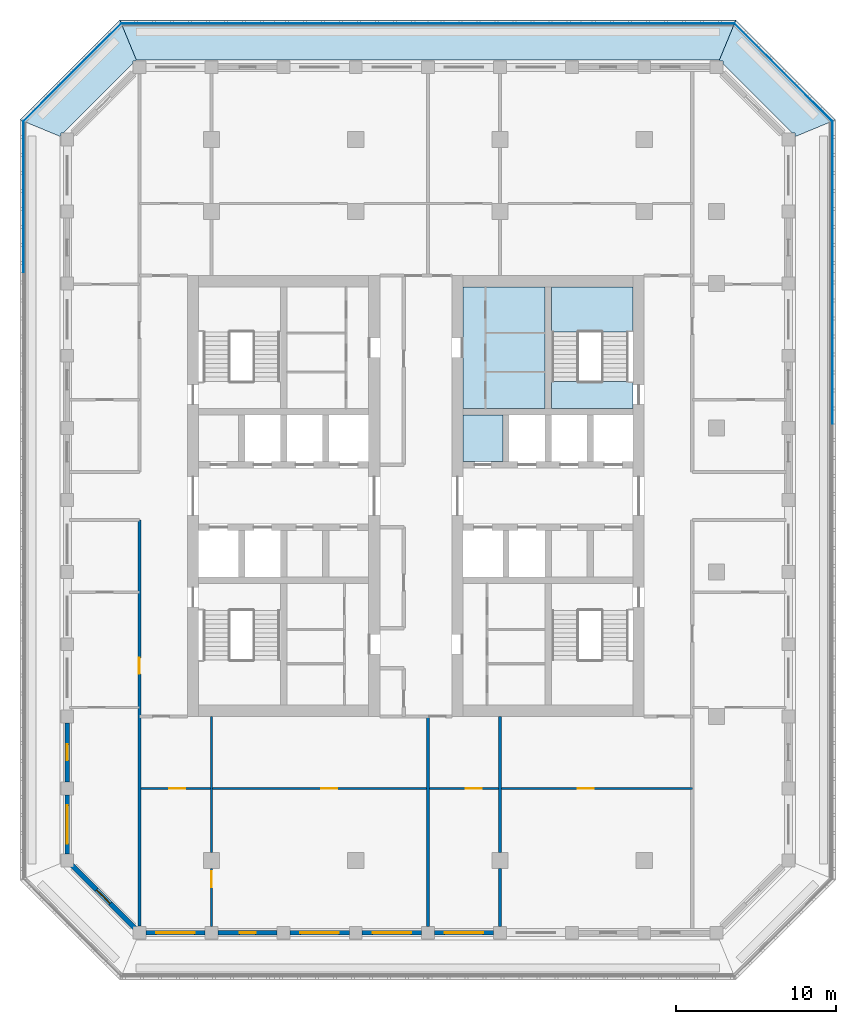
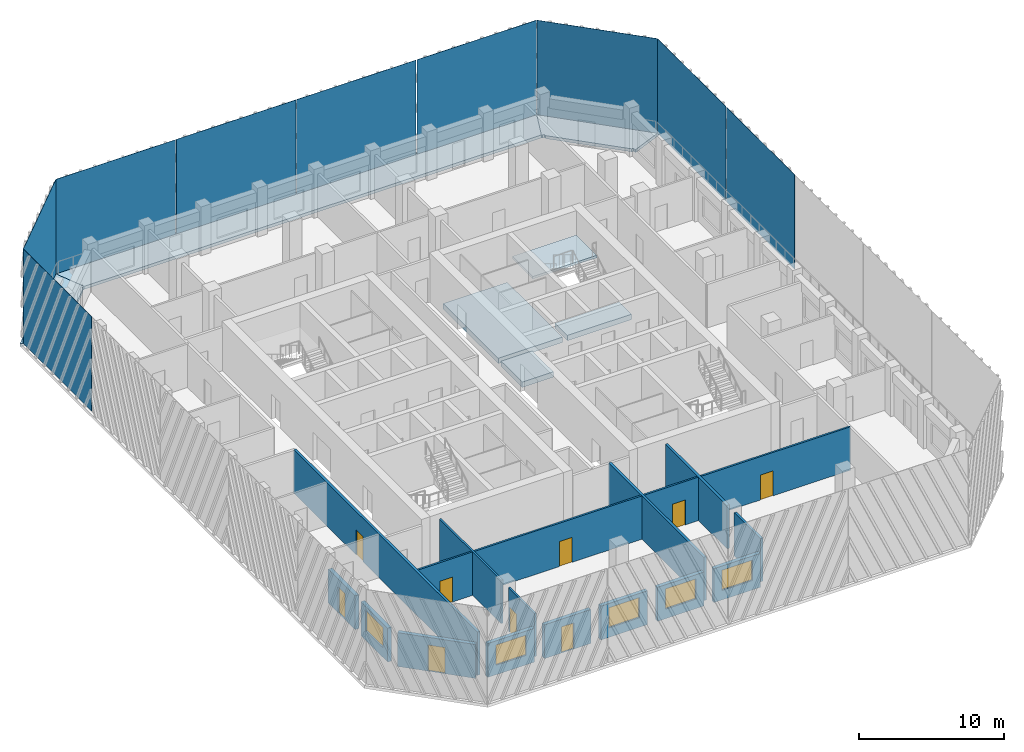
# One storey, part 2 of 17: 15 walls, 9 doors, 9 plates, 7 slabs, 5 windows, 14 openings, 1 element without a shape of its own.
"""IFC4 building model written with IfcOpenShell, lengths in metres."""

from ifc_helpers import new_model, si_unit, direction, frame, frame_2d, origin, origin_2d, place, context, subcontext, project, spatial, polyline, rectangle, outline, extrude, material, layer, layer_set, type_object, element, fill, aggregate, save


model = new_model("IFC4")

# Units and contexts
model_context = context("Model", 3, precision=1e-05, world=origin(), true_north=direction((0.0, 1.0)))
body_context = subcontext(model_context, "Body", "Model", "MODEL_VIEW")
ifc_project = project(units=[si_unit("LENGTHUNIT", "METRE"), si_unit("AREAUNIT", "SQUARE_METRE"), si_unit("VOLUMEUNIT", "CUBIC_METRE"), si_unit("PLANEANGLEUNIT", "RADIAN"), si_unit("MASSUNIT", "GRAM", prefix="KILO")], contexts=[model_context])

# Site, building, storey
site_placement = place(None, origin())
site = spatial("IfcSite", under=ifc_project, at=site_placement, CompositionType="ELEMENT")
building_placement = place(site_placement, origin())
building = spatial("IfcBuilding", under=site, at=building_placement, Name="Corbel Stack Research Tower", CompositionType="ELEMENT")
storey_placement = place(building_placement, frame((0.0, 0.0, 248.0)))
storey = spatial("IfcBuildingStorey", under=building, at=storey_placement, Name="L56", CompositionType="ELEMENT", Elevation=248.0)

# Plates
ifc_material_1 = material(Name="Fritted glass", Category="glass")
ifc_layer_1 = layer(ifc_material_1, 0.02490234375)
ifc_layer_set_1 = layer_set([ifc_layer_1], Name="Fritted glass")
plate_type = type_object("IfcPlateType", Name="Fritted glass panel 25", PredefinedType="SHEET", material=ifc_layer_set_1)
for number, where, z_axis, x_axis, name in (
    (1, (29.737548828125, 13.95556640625, 0.0), (0.0, 0.0, 1.0), (0.0, 1.0, 0.0), "Fritted glass L56 E4"),
    (2, (29.737548828125, 23.411376953125, 0.0), (0.0, 0.0, 1.0), (0.0, 1.0, 0.0), "Fritted glass L56 E5"),
):
    element("IfcPlate", number, at=place(storey_placement, frame(where, z_axis=z_axis, x_axis=x_axis)), inside=storey, type_object=plate_type, Name=name, PredefinedType="SHEET", context=body_context, shape_type="SweptSolid", body=[
        extrude(rectangle(XDim=9.3955078125, YDim=0.02490234375, at=origin_2d()), origin(), (0.0, 0.0, 1.0), 7.949951171875),
    ])
plate_1_placement = place(storey_placement, frame((26.685791015625, 31.185791015625, 0.0), z_axis=(0.0, 0.0, 1.0), x_axis=(-0.707106781187, 0.707106781187, 0.0)))
element("IfcPlate", 3, at=plate_1_placement, inside=storey, type_object=plate_type, Name="Fritted glass L56 NE1", PredefinedType="SHEET", context=body_context, shape_type="SweptSolid", body=[
    extrude(rectangle(XDim=8.58203125, YDim=0.02490234375, at=origin_2d()), origin(), (0.0, 0.0, 1.0), 7.949951171875),
])
for number, where, z_axis, x_axis, name in (
    (4, (18.854248046875, 34.237548828125, 0.0), (0.0, 0.0, 1.0), (-1.0, 0.0, 0.0), "Fritted glass L56 N1"),
    (5, (9.284912109375, 34.237548828125, 0.0), (0.0, 0.0, 1.0), (-1.0, 0.0, 0.0), "Fritted glass L56 N2"),
    (6, (-0.284912109375, 34.237548828125, 0.0), (0.0, 0.0, 1.0), (-1.0, 0.0, 0.0), "Fritted glass L56 N3"),
    (7, (-9.854248046875, 34.237548828125, 0.0), (0.0, 0.0, 1.0), (-1.0, 0.0, 0.0), "Fritted glass L56 N4"),
):
    element("IfcPlate", number, at=place(storey_placement, frame(where, z_axis=z_axis, x_axis=x_axis)), inside=storey, type_object=plate_type, Name=name, PredefinedType="SHEET", context=body_context, shape_type="SweptSolid", body=[
        extrude(rectangle(XDim=9.509521484375, YDim=0.02490234375, at=origin_2d()), origin(), (0.0, 0.0, 1.0), 7.949951171875),
    ])
plate_2_placement = place(storey_placement, frame((-17.685791015625, 31.185791015625, 0.0), z_axis=(0.0, 0.0, 1.0), x_axis=(-0.707106781187, -0.707106781187, 0.0)))
element("IfcPlate", 8, at=plate_2_placement, inside=storey, type_object=plate_type, Name="Fritted glass L56 NW1", PredefinedType="SHEET", context=body_context, shape_type="SweptSolid", body=[
    extrude(rectangle(XDim=8.58203125, YDim=0.02490234375, at=origin_2d()), origin(), (0.0, 0.0, 1.0), 7.949951171875),
])
plate_3_placement = place(storey_placement, frame((-20.737548828125, 23.411376953125, 0.0), z_axis=(0.0, 0.0, 1.0), x_axis=(0.0, -1.0, 0.0)))
element("IfcPlate", 9, at=plate_3_placement, inside=storey, type_object=plate_type, Name="Fritted glass L56 W1", PredefinedType="SHEET", context=body_context, shape_type="SweptSolid", body=[
    extrude(rectangle(XDim=9.3955078125, YDim=0.02490234375, at=origin_2d()), origin(), (0.0, 0.0, 1.0), 7.949951171875),
])

# Slabs
ifc_material_2 = material(Name="Concrete C45/55", Category="concrete")
ifc_layer_2 = layer(ifc_material_2, 0.25)
ifc_layer_set_2 = layer_set([ifc_layer_2], Name="Concrete C45/55")
slab_type_1 = type_object("IfcSlabType", Name="PT balcony slab 250 C45/55", PredefinedType="FLOOR", material=ifc_layer_set_2)
slab_1_placement = place(storey_placement, frame((0.0, 0.0, -0.25)))
element("IfcSlab", 10, at=slab_1_placement, inside=storey, type_object=slab_type_1, Name="Loggia slab L56 NE", PredefinedType="FLOOR", context=body_context, shape_type="SweptSolid", body=[
    extrude(outline(polyline([(22.686279296875, 31.949951171875), (22.736328125, 31.89990234375), (22.89990234375, 31.89990234375), (22.89990234375, 31.736328125), (27.236328125, 27.39990234375), (27.39990234375, 27.39990234375), (27.39990234375, 27.236328125), (27.449951171875, 27.186279296875), (29.949951171875, 28.221923828125), (23.721923828125, 34.449951171875), (22.686279296875, 31.949951171875)])), origin(), (0.0, 0.0, 1.0), 0.25),
])
slab_2_placement = place(storey_placement, frame((0.0, 0.0, -0.25)))
element("IfcSlab", 11, at=slab_2_placement, inside=storey, type_object=slab_type_1, Name="Loggia slab L56 N", PredefinedType="FLOOR", context=body_context, shape_type="SweptSolid", body=[
    extrude(outline(polyline([(-13.686279296875, 31.949951171875), (22.686279296875, 31.949951171875), (23.721923828125, 34.449951171875), (-14.721923828125, 34.449951171875), (-13.686279296875, 31.949951171875)])), origin(), (0.0, 0.0, 1.0), 0.25),
])
slab_3_placement = place(storey_placement, frame((0.0, 0.0, -0.25)))
element("IfcSlab", 12, at=slab_3_placement, inside=storey, type_object=slab_type_1, Name="Loggia slab L56 NW", PredefinedType="FLOOR", context=body_context, shape_type="SweptSolid", body=[
    extrude(outline(polyline([(-18.449951171875, 27.186279296875), (-18.39990234375, 27.236328125), (-18.39990234375, 27.39990234375), (-18.236328125, 27.39990234375), (-13.89990234375, 31.736328125), (-13.89990234375, 31.89990234375), (-13.736328125, 31.89990234375), (-13.686279296875, 31.949951171875), (-14.721923828125, 34.449951171875), (-20.949951171875, 28.221923828125), (-18.449951171875, 27.186279296875)])), origin(), (0.0, 0.0, 1.0), 0.25),
])
ifc_material_3 = material(Name="Concrete C45/55", Category="concrete")
ifc_layer_3 = layer(ifc_material_3, 0.449951171875)
ifc_layer_set_3 = layer_set([ifc_layer_3], Name="Concrete C45/55")
slab_type_2 = type_object("IfcSlabType", Name="PT-450", PredefinedType="FLOOR", material=ifc_layer_set_3)
slab_4_placement = place(storey_placement, frame((0.0, 0.0, -0.449951171875)))
element("IfcSlab", 13, at=slab_4_placement, inside=storey, type_object=slab_type_2, Name="East core floor L56", PredefinedType="FLOOR", context=body_context, shape_type="SweptSolid", body=[
    extrude(outline(polyline([(6.699951171875, 6.89990234375), (9.175048828125, 6.89990234375), (9.175048828125, 9.800048828125), (6.699951171875, 9.800048828125), (6.699951171875, 6.89990234375)])), origin(), (0.0, 0.0, 1.0), 0.449951171875),
])
slab_5_placement = place(storey_placement, frame((0.0, 0.0, -0.449951171875)))
element("IfcSlab", 14, at=slab_5_placement, inside=storey, type_object=slab_type_2, Name="East core floor L56", PredefinedType="FLOOR", context=body_context, shape_type="SweptSolid", body=[
    extrude(outline(polyline([(6.699951171875, 10.199951171875), (11.800048828125, 10.199951171875), (11.800048828125, 17.800048828125), (6.699951171875, 17.800048828125), (6.699951171875, 10.199951171875)])), origin(), (0.0, 0.0, 1.0), 0.449951171875),
])
slab_6_placement = place(storey_placement, frame((0.0, 0.0, -0.449951171875)))
element("IfcSlab", 15, at=slab_6_placement, inside=storey, type_object=slab_type_2, Name="Stair floor landing ST-E2", PredefinedType="FLOOR", context=body_context, shape_type="SweptSolid", body=[
    extrude(outline(polyline([(12.199951171875, 10.199951171875), (17.300048828125, 10.199951171875), (17.300048828125, 11.89990234375), (12.199951171875, 11.89990234375), (12.199951171875, 10.199951171875)])), origin(), (0.0, 0.0, 1.0), 0.449951171875),
])

# Stair, slab
ifc_material_4 = material(Name="Concrete C40/50", Category="concrete")
stair_type = type_object("IfcStairType", Name="Exit stair 24 risers", PredefinedType="HALF_TURN_STAIR", material=ifc_material_4)
stair_placement = place(storey_placement, origin())
stair = element("IfcStair", 16, at=stair_placement, inside=storey, type_object=stair_type, Name="L56 Exit stair ST-E2", PredefinedType="HALF_TURN_STAIR")
ifc_material_5 = material(Name="Concrete C40/50", Category="concrete")
ifc_layer_4 = layer(ifc_material_5, 0.199951171875)
ifc_layer_set_4 = layer_set([ifc_layer_4], Name="Concrete C40/50")
slab_type_3 = type_object("IfcSlabType", Name="Stair landing 200 C40/50", PredefinedType="LANDING", material=ifc_layer_set_4)
slab_7_placement = place(storey_placement, frame((0.0, 0.0, 1.85009765625)))
slab_7 = element("IfcSlab", 17, at=slab_7_placement, type_object=slab_type_3, Name="ST-E2 landing 1", PredefinedType="LANDING", context=body_context, shape_type="SweptSolid", body=[
    extrude(outline(polyline([(12.199951171875, 14.97998046875), (12.199951171875, 17.800048828125), (17.300048828125, 17.800048828125), (17.300048828125, 14.97998046875), (12.199951171875, 14.97998046875)])), origin(), (0.0, 0.0, 1.0), 0.199951171875),
])
aggregate(stair, [slab_7])

# Wall, opening, door
ifc_material_6 = material(Name="Fire-rated gypsum board partition on steel studs", Category="steel")
ifc_layer_5 = layer(ifc_material_6, 0.14990234375)
ifc_layer_set_5 = layer_set([ifc_layer_5], Name="Fire-rated gypsum board partition on steel studs")
wall_type_1 = type_object("IfcWallType", Name="Fire-rated partition 150 EI 60", PredefinedType="PARTITIONING", material=ifc_layer_set_5)
wall_1_placement = place(storey_placement, frame((-9.0, -18.5, 0.0), z_axis=(0.0, 0.0, 1.0), x_axis=(0.0, -1.0, 0.0)))
wall_1 = element("IfcWall", 18, at=wall_1_placement, inside=storey, type_object=wall_type_1, Name="Partition L56-003", PredefinedType="PARTITIONING", context=body_context, shape_type="SweptSolid", body=[
    extrude(rectangle(XDim=3.60009765625, YDim=0.14990234375, at=frame_2d((1.800048828125, 0.0))), origin(), (0.0, 0.0, 1.0), 3.64990234375),
])
opening_1_placement = place(wall_1_placement, frame((0.14990234375, 0.0, 0.0)))
opening_1 = element("IfcOpeningElement", 19, at=opening_1_placement, cuts=wall_1, Name="Opening B7V1-007", PredefinedType="OPENING", context=body_context, shape_type="SweptSolid", body=[
    extrude(rectangle(XDim=1.0, YDim=2.10009765625, at=frame_2d((0.5, 1.050048828125))), frame((0.0, 0.0849609375, 0.0), z_axis=(0.0, -1.0, 0.0), x_axis=(1.0, 0.0, 0.0)), (0.0, 0.0, 1.0), 0.169921875),
])
ifc_material_7 = material(Name="Painted steel fire door", Category="steel")
door_type_1 = type_object("IfcDoorType", Name="Fire door FD30S 1000 x 2100", OperationType="NOTDEFINED", PredefinedType="DOOR", material=ifc_material_7)
door_1_placement = place(opening_1_placement, origin())
door_1 = element("IfcDoor", 20, at=door_1_placement, inside=storey, type_object=door_type_1, Name="Door B7V1-007", OperationType="SINGLE_SWING_LEFT", OverallHeight=2.10009765625, OverallWidth=1.0, PredefinedType="DOOR", context=body_context, shape_type="SweptSolid", body=[
    extrude(rectangle(XDim=1.0, YDim=2.10009765625, at=frame_2d((0.5, 1.050048828125))), frame((0.0, 0.02490234375, 0.0), z_axis=(0.0, -1.0, 0.0), x_axis=(1.0, 0.0, 0.0)), (0.0, 0.0, 1.0), 0.050048828125),
])
fill(opening_1, door_1)

ifc_material_8 = material(Name="Fire-rated gypsum board partition on steel studs", Category="steel")
ifc_layer_6 = layer(ifc_material_8, 0.199951171875)
ifc_layer_set_6 = layer_set([ifc_layer_6], Name="Fire-rated gypsum board partition on steel studs")
wall_type_2 = type_object("IfcWallType", Name="Fire-rated partition 200 EI 60", PredefinedType="PARTITIONING", material=ifc_layer_set_6)
wall_2_placement = place(storey_placement, frame((-13.5, -22.0771484375, 0.0), z_axis=(0.0, 0.0, 1.0), x_axis=(0.0, 1.0, 0.0)))
wall_2 = element("IfcWall", 21, at=wall_2_placement, inside=storey, type_object=wall_type_2, Name="Partition L56-001", PredefinedType="PARTITIONING", context=body_context, shape_type="SweptSolid", body=[
    extrude(rectangle(XDim=25.3271484375, YDim=0.199951171875, at=frame_2d((12.66357421875, 0.0))), origin(), (0.0, 0.0, 1.0), 3.64990234375),
])
opening_2_placement = place(wall_2_placement, frame((15.727294921875, 0.0, 0.0)))
opening_2 = element("IfcOpeningElement", 22, at=opening_2_placement, cuts=wall_2, Name="Opening B7V1-002", PredefinedType="OPENING", context=body_context, shape_type="SweptSolid", body=[
    extrude(rectangle(XDim=1.0, YDim=2.10009765625, at=frame_2d((0.5, 1.050048828125))), frame((0.0, 0.10986328125, 0.0), z_axis=(0.0, -1.0, 0.0), x_axis=(1.0, 0.0, 0.0)), (0.0, 0.0, 1.0), 0.219970703125),
])
door_2_placement = place(opening_2_placement, origin())
door_2 = element("IfcDoor", 23, at=door_2_placement, inside=storey, type_object=door_type_1, Name="Door B7V1-002", OperationType="SINGLE_SWING_RIGHT", OverallHeight=2.10009765625, OverallWidth=1.0, PredefinedType="DOOR", context=body_context, shape_type="SweptSolid", body=[
    extrude(rectangle(XDim=1.0, YDim=2.10009765625, at=frame_2d((0.5, 1.050048828125))), frame((0.0, 0.02490234375, 0.0), z_axis=(0.0, -1.0, 0.0), x_axis=(1.0, 0.0, 0.0)), (0.0, 0.0, 1.0), 0.050048828125),
])
fill(opening_2, door_2)

# Walls
wall_3_placement = place(storey_placement, frame((4.5, -22.10009765625, 0.0), z_axis=(0.0, 0.0, 1.0), x_axis=(0.0, 1.0, 0.0)))
element("IfcWall", 24, at=wall_3_placement, inside=storey, type_object=wall_type_2, Name="Partition L56-011", PredefinedType="PARTITIONING", context=body_context, shape_type="SweptSolid", body=[
    extrude(rectangle(XDim=13.10009765625, YDim=0.199951171875, at=frame_2d((6.550048828125, 0.0))), origin(), (0.0, 0.0, 1.0), 3.64990234375),
])
wall_4_placement = place(storey_placement, frame((9.0, -22.10009765625, 0.0), z_axis=(0.0, 0.0, 1.0), x_axis=(0.0, 1.0, 0.0)))
element("IfcWall", 25, at=wall_4_placement, inside=storey, type_object=wall_type_2, Name="Partition L56-013", PredefinedType="PARTITIONING", context=body_context, shape_type="SweptSolid", body=[
    extrude(rectangle(XDim=3.60009765625, YDim=0.199951171875, at=frame_2d((1.800048828125, 0.0))), origin(), (0.0, 0.0, 1.0), 3.64990234375),
])
wall_5_placement = place(storey_placement, frame((9.0, -17.5, 0.0), z_axis=(0.0, 0.0, 1.0), x_axis=(0.0, 1.0, 0.0)))
element("IfcWall", 26, at=wall_5_placement, inside=storey, type_object=wall_type_2, Name="Partition L56-014", PredefinedType="PARTITIONING", context=body_context, shape_type="SweptSolid", body=[
    extrude(rectangle(XDim=8.5, YDim=0.199951171875, at=frame_2d((4.25, 0.0))), origin(), (0.0, 0.0, 1.0), 3.64990234375),
])
ifc_material_9 = material(Name="Gypsum board partition on steel studs", Category="steel")
ifc_layer_7 = layer(ifc_material_9, 0.14990234375)
ifc_layer_set_7 = layer_set([ifc_layer_7], Name="Gypsum board partition on steel studs")
wall_type_3 = type_object("IfcWallType", Name="Partition 150", PredefinedType="PARTITIONING", material=ifc_layer_set_7)
wall_6_placement = place(storey_placement, frame((-9.0, -17.5, 0.0), z_axis=(0.0, 0.0, 1.0), x_axis=(0.0, 1.0, 0.0)))
element("IfcWall", 27, at=wall_6_placement, inside=storey, type_object=wall_type_3, Name="Partition L56-004", PredefinedType="PARTITIONING", context=body_context, shape_type="SweptSolid", body=[
    extrude(rectangle(XDim=8.5, YDim=0.14990234375, at=frame_2d((4.25, 0.0))), origin(), (0.0, 0.0, 1.0), 3.64990234375),
])

# Wall, openings, doors
wall_7_placement = place(storey_placement, frame((21.0, -13.5, 0.0), z_axis=(0.0, 0.0, 1.0), x_axis=(-1.0, 0.0, 0.0)))
wall_7 = element("IfcWall", 28, at=wall_7_placement, inside=storey, type_object=wall_type_3, Name="Partition L56-020", PredefinedType="PARTITIONING", context=body_context, shape_type="SweptSolid", body=[
    extrude(rectangle(XDim=34.5, YDim=0.14990234375, at=frame_2d((17.25, 0.0))), origin(), (0.0, 0.0, 1.0), 3.64990234375),
])
opening_3_placement = place(wall_7_placement, frame((31.64990234375, 0.0, 0.0)))
opening_3 = element("IfcOpeningElement", 29, at=opening_3_placement, cuts=wall_7, Name="Opening B7V1-001", PredefinedType="OPENING", context=body_context, shape_type="SweptSolid", body=[
    extrude(rectangle(XDim=1.0, YDim=2.10009765625, at=frame_2d((0.5, 1.050048828125))), frame((0.0, 0.0849609375, 0.0), z_axis=(0.0, -1.0, 0.0), x_axis=(1.0, 0.0, 0.0)), (0.0, 0.0, 1.0), 0.169921875),
])
opening_4_placement = place(wall_7_placement, frame((22.14990234375, 0.0, 0.0)))
opening_4 = element("IfcOpeningElement", 30, at=opening_4_placement, cuts=wall_7, Name="Opening B7V1-003", PredefinedType="OPENING", context=body_context, shape_type="SweptSolid", body=[
    extrude(rectangle(XDim=1.0, YDim=2.10009765625, at=frame_2d((0.5, 1.050048828125))), frame((0.0, 0.0849609375, 0.0), z_axis=(0.0, -1.0, 0.0), x_axis=(1.0, 0.0, 0.0)), (0.0, 0.0, 1.0), 0.169921875),
])
opening_5_placement = place(wall_7_placement, frame((13.14990234375, 0.0, 0.0)))
opening_5 = element("IfcOpeningElement", 31, at=opening_5_placement, cuts=wall_7, Name="Opening B7V1-004", PredefinedType="OPENING", context=body_context, shape_type="SweptSolid", body=[
    extrude(rectangle(XDim=1.0, YDim=2.10009765625, at=frame_2d((0.5, 1.050048828125))), frame((0.0, 0.0849609375, 0.0), z_axis=(0.0, -1.0, 0.0), x_axis=(1.0, 0.0, 0.0)), (0.0, 0.0, 1.0), 0.169921875),
])
opening_6_placement = place(wall_7_placement, frame((6.14990234375, 0.0, 0.0)))
opening_6 = element("IfcOpeningElement", 32, at=opening_6_placement, cuts=wall_7, Name="Opening B7V1-005", PredefinedType="OPENING", context=body_context, shape_type="SweptSolid", body=[
    extrude(rectangle(XDim=1.0, YDim=2.10009765625, at=frame_2d((0.5, 1.050048828125))), frame((0.0, 0.0849609375, 0.0), z_axis=(0.0, -1.0, 0.0), x_axis=(1.0, 0.0, 0.0)), (0.0, 0.0, 1.0), 0.169921875),
])
ifc_material_10 = material(Name="Painted timber door", Category="wood")
door_type_2 = type_object("IfcDoorType", Name="Single door 1000 x 2100", OperationType="NOTDEFINED", PredefinedType="DOOR", material=ifc_material_10)
door_3_placement = place(opening_3_placement, origin())
door_3 = element("IfcDoor", 33, at=door_3_placement, inside=storey, type_object=door_type_2, Name="Door B7V1-001", OperationType="SINGLE_SWING_RIGHT", OverallHeight=2.10009765625, OverallWidth=1.0, PredefinedType="DOOR", context=body_context, shape_type="SweptSolid", body=[
    extrude(rectangle(XDim=1.0, YDim=2.10009765625, at=frame_2d((0.5, 1.050048828125))), frame((0.0, 0.02490234375, 0.0), z_axis=(0.0, -1.0, 0.0), x_axis=(1.0, 0.0, 0.0)), (0.0, 0.0, 1.0), 0.050048828125),
])
fill(opening_3, door_3)
door_4_placement = place(opening_4_placement, origin())
door_4 = element("IfcDoor", 34, at=door_4_placement, inside=storey, type_object=door_type_2, Name="Door B7V1-003", OperationType="SINGLE_SWING_RIGHT", OverallHeight=2.10009765625, OverallWidth=1.0, PredefinedType="DOOR", context=body_context, shape_type="SweptSolid", body=[
    extrude(rectangle(XDim=1.0, YDim=2.10009765625, at=frame_2d((0.5, 1.050048828125))), frame((0.0, 0.02490234375, 0.0), z_axis=(0.0, -1.0, 0.0), x_axis=(1.0, 0.0, 0.0)), (0.0, 0.0, 1.0), 0.050048828125),
])
fill(opening_4, door_4)
door_5_placement = place(opening_5_placement, origin())
door_5 = element("IfcDoor", 35, at=door_5_placement, inside=storey, type_object=door_type_2, Name="Door B7V1-004", OperationType="SINGLE_SWING_LEFT", OverallHeight=2.10009765625, OverallWidth=1.0, PredefinedType="DOOR", context=body_context, shape_type="SweptSolid", body=[
    extrude(rectangle(XDim=1.0, YDim=2.10009765625, at=frame_2d((0.5, 1.050048828125))), frame((0.0, 0.02490234375, 0.0), z_axis=(0.0, -1.0, 0.0), x_axis=(1.0, 0.0, 0.0)), (0.0, 0.0, 1.0), 0.050048828125),
])
fill(opening_5, door_5)
door_6_placement = place(opening_6_placement, origin())
door_6 = element("IfcDoor", 36, at=door_6_placement, inside=storey, type_object=door_type_2, Name="Door B7V1-005", OperationType="SINGLE_SWING_LEFT", OverallHeight=2.10009765625, OverallWidth=1.0, PredefinedType="DOOR", context=body_context, shape_type="SweptSolid", body=[
    extrude(rectangle(XDim=1.0, YDim=2.10009765625, at=frame_2d((0.5, 1.050048828125))), frame((0.0, 0.02490234375, 0.0), z_axis=(0.0, -1.0, 0.0), x_axis=(1.0, 0.0, 0.0)), (0.0, 0.0, 1.0), 0.050048828125),
])
fill(opening_6, door_6)

# Wall, opening, window
ifc_material_11 = material(Name="Concrete C45/55", Category="concrete")
ifc_layer_8 = layer(ifc_material_11, 0.300048828125)
ifc_layer_set_8 = layer_set([ifc_layer_8], Name="Concrete C45/55")
wall_type_4 = type_object("IfcWallType", Name="Terracotta-faced concrete wall 300", PredefinedType="SOLIDWALL", material=ifc_layer_set_8)
wall_8_placement = place(storey_placement, frame((-9.39990234375, -22.5, 0.0), z_axis=(0.0, 0.0, 1.0), x_axis=(-1.0, 0.0, 0.0)))
wall_8 = element("IfcWall", 37, at=wall_8_placement, inside=storey, type_object=wall_type_4, Name="Facade wall L56 S01", PredefinedType="SOLIDWALL", context=body_context, shape_type="SweptSolid", body=[
    extrude(rectangle(XDim=3.7001953125, YDim=0.300048828125, at=frame_2d((1.85009765625, 0.0))), origin(), (0.0, 0.0, 1.0), 2.85009765625),
])
opening_7_placement = place(wall_8_placement, frame((0.64990234375, 0.0, 0.800048828125)))
opening_7 = element("IfcOpeningElement", 38, at=opening_7_placement, cuts=wall_8, Name="Opening W1", PredefinedType="OPENING", context=body_context, shape_type="SweptSolid", body=[
    extrude(rectangle(XDim=2.39990234375, YDim=1.699951171875, at=frame_2d((1.199951171875, 0.85009765625))), frame((0.0, 0.159912109375, 0.0), z_axis=(0.0, -1.0, 0.0), x_axis=(1.0, 0.0, 0.0)), (0.0, 0.0, 1.0), 0.320068359375),
])
ifc_material_12 = material(Name="Aluminium frame, clear double glazing", Category="aluminium")
window_type = type_object("IfcWindowType", Name="Window W1 2400 x 1700", PartitioningType="SINGLE_PANEL", PredefinedType="WINDOW", material=ifc_material_12)
window_1_placement = place(opening_7_placement, origin())
window_1 = element("IfcWindow", 39, at=window_1_placement, inside=storey, type_object=window_type, Name="Window W1 L56 S01", OverallHeight=1.699951171875, OverallWidth=2.39990234375, PartitioningType="SINGLE_PANEL", PredefinedType="WINDOW", context=body_context, shape_type="SweptSolid", body=[
    extrude(rectangle(XDim=2.39990234375, YDim=1.699951171875, at=frame_2d((1.199951171875, 0.85009765625))), frame((0.0, 0.030029296875, 0.0), z_axis=(0.0, -1.0, 0.0), x_axis=(1.0, 0.0, 0.0)), (0.0, 0.0, 1.0), 0.06005859375),
])
fill(opening_7, window_1)

# Wall, opening, door
wall_9_placement = place(storey_placement, frame((-4.89990234375, -22.5, 0.0), z_axis=(0.0, 0.0, 1.0), x_axis=(-1.0, 0.0, 0.0)))
wall_9 = element("IfcWall", 40, at=wall_9_placement, inside=storey, type_object=wall_type_4, Name="Facade wall L56 S02", PredefinedType="SOLIDWALL", context=body_context, shape_type="SweptSolid", body=[
    extrude(rectangle(XDim=3.7001953125, YDim=0.300048828125, at=frame_2d((1.85009765625, 0.0))), origin(), (0.0, 0.0, 1.0), 2.85009765625),
])
opening_8_placement = place(wall_9_placement, frame((1.35009765625, 0.0, 0.0)))
opening_8 = element("IfcOpeningElement", 41, at=opening_8_placement, cuts=wall_9, Name="Opening L56-B01", PredefinedType="OPENING", context=body_context, shape_type="SweptSolid", body=[
    extrude(rectangle(XDim=1.0, YDim=2.199951171875, at=frame_2d((0.5, 1.10009765625))), frame((0.0, 0.159912109375, 0.0), z_axis=(0.0, -1.0, 0.0), x_axis=(1.0, 0.0, 0.0)), (0.0, 0.0, 1.0), 0.320068359375),
])
ifc_material_13 = material(Name="Aluminium frame, clear double glazing", Category="aluminium")
door_type_3 = type_object("IfcDoorType", Name="Balcony door BD1 1000 x 2200", OperationType="NOTDEFINED", PredefinedType="DOOR", material=ifc_material_13)
door_7_placement = place(opening_8_placement, origin())
door_7 = element("IfcDoor", 42, at=door_7_placement, inside=storey, type_object=door_type_3, Name="Balcony door L56-B01", OperationType="SINGLE_SWING_RIGHT", OverallHeight=2.199951171875, OverallWidth=1.0, PredefinedType="DOOR", context=body_context, shape_type="SweptSolid", body=[
    extrude(rectangle(XDim=1.0, YDim=2.199951171875, at=frame_2d((0.5, 1.10009765625))), frame((0.0, 0.02490234375, 0.0), z_axis=(0.0, -1.0, 0.0), x_axis=(1.0, 0.0, 0.0)), (0.0, 0.0, 1.0), 0.050048828125),
])
fill(opening_8, door_7)

# Wall, opening, window
wall_10_placement = place(storey_placement, frame((-0.39990234375, -22.5, 0.0), z_axis=(0.0, 0.0, 1.0), x_axis=(-1.0, 0.0, 0.0)))
wall_10 = element("IfcWall", 43, at=wall_10_placement, inside=storey, type_object=wall_type_4, Name="Facade wall L56 S03", PredefinedType="SOLIDWALL", context=body_context, shape_type="SweptSolid", body=[
    extrude(rectangle(XDim=3.7001953125, YDim=0.300048828125, at=frame_2d((1.85009765625, 0.0))), origin(), (0.0, 0.0, 1.0), 2.85009765625),
])
opening_9_placement = place(wall_10_placement, frame((0.64990234375, 0.0, 0.800048828125)))
opening_9 = element("IfcOpeningElement", 44, at=opening_9_placement, cuts=wall_10, Name="Opening W1", PredefinedType="OPENING", context=body_context, shape_type="SweptSolid", body=[
    extrude(rectangle(XDim=2.39990234375, YDim=1.699951171875, at=frame_2d((1.199951171875, 0.85009765625))), frame((0.0, 0.159912109375, 0.0), z_axis=(0.0, -1.0, 0.0), x_axis=(1.0, 0.0, 0.0)), (0.0, 0.0, 1.0), 0.320068359375),
])
window_2_placement = place(opening_9_placement, origin())
window_2 = element("IfcWindow", 45, at=window_2_placement, inside=storey, type_object=window_type, Name="Window W1 L56 S03", OverallHeight=1.699951171875, OverallWidth=2.39990234375, PartitioningType="SINGLE_PANEL", PredefinedType="WINDOW", context=body_context, shape_type="SweptSolid", body=[
    extrude(rectangle(XDim=2.39990234375, YDim=1.699951171875, at=frame_2d((1.199951171875, 0.85009765625))), frame((0.0, 0.030029296875, 0.0), z_axis=(0.0, -1.0, 0.0), x_axis=(1.0, 0.0, 0.0)), (0.0, 0.0, 1.0), 0.06005859375),
])
fill(opening_9, window_2)

wall_11_placement = place(storey_placement, frame((4.10009765625, -22.5, 0.0), z_axis=(0.0, 0.0, 1.0), x_axis=(-1.0, 0.0, 0.0)))
wall_11 = element("IfcWall", 46, at=wall_11_placement, inside=storey, type_object=wall_type_4, Name="Facade wall L56 S04", PredefinedType="SOLIDWALL", context=body_context, shape_type="SweptSolid", body=[
    extrude(rectangle(XDim=3.7001953125, YDim=0.300048828125, at=frame_2d((1.85009765625, 0.0))), origin(), (0.0, 0.0, 1.0), 2.85009765625),
])
opening_10_placement = place(wall_11_placement, frame((0.64990234375, 0.0, 0.800048828125)))
opening_10 = element("IfcOpeningElement", 47, at=opening_10_placement, cuts=wall_11, Name="Opening W1", PredefinedType="OPENING", context=body_context, shape_type="SweptSolid", body=[
    extrude(rectangle(XDim=2.39990234375, YDim=1.699951171875, at=frame_2d((1.199951171875, 0.85009765625))), frame((0.0, 0.159912109375, 0.0), z_axis=(0.0, -1.0, 0.0), x_axis=(1.0, 0.0, 0.0)), (0.0, 0.0, 1.0), 0.320068359375),
])
window_3_placement = place(opening_10_placement, origin())
window_3 = element("IfcWindow", 48, at=window_3_placement, inside=storey, type_object=window_type, Name="Window W1 L56 S04", OverallHeight=1.699951171875, OverallWidth=2.39990234375, PartitioningType="SINGLE_PANEL", PredefinedType="WINDOW", context=body_context, shape_type="SweptSolid", body=[
    extrude(rectangle(XDim=2.39990234375, YDim=1.699951171875, at=frame_2d((1.199951171875, 0.85009765625))), frame((0.0, 0.030029296875, 0.0), z_axis=(0.0, -1.0, 0.0), x_axis=(1.0, 0.0, 0.0)), (0.0, 0.0, 1.0), 0.06005859375),
])
fill(opening_10, window_3)

wall_12_placement = place(storey_placement, frame((8.60009765625, -22.5, 0.0), z_axis=(0.0, 0.0, 1.0), x_axis=(-1.0, 0.0, 0.0)))
wall_12 = element("IfcWall", 49, at=wall_12_placement, inside=storey, type_object=wall_type_4, Name="Facade wall L56 S05", PredefinedType="SOLIDWALL", context=body_context, shape_type="SweptSolid", body=[
    extrude(rectangle(XDim=3.7001953125, YDim=0.300048828125, at=frame_2d((1.85009765625, 0.0))), origin(), (0.0, 0.0, 1.0), 2.85009765625),
])
opening_11_placement = place(wall_12_placement, frame((0.64990234375, 0.0, 0.800048828125)))
opening_11 = element("IfcOpeningElement", 50, at=opening_11_placement, cuts=wall_12, Name="Opening W1", PredefinedType="OPENING", context=body_context, shape_type="SweptSolid", body=[
    extrude(rectangle(XDim=2.39990234375, YDim=1.699951171875, at=frame_2d((1.199951171875, 0.85009765625))), frame((0.0, 0.159912109375, 0.0), z_axis=(0.0, -1.0, 0.0), x_axis=(1.0, 0.0, 0.0)), (0.0, 0.0, 1.0), 0.320068359375),
])
window_4_placement = place(opening_11_placement, origin())
window_4 = element("IfcWindow", 51, at=window_4_placement, inside=storey, type_object=window_type, Name="Window W1 L56 S05", OverallHeight=1.699951171875, OverallWidth=2.39990234375, PartitioningType="SINGLE_PANEL", PredefinedType="WINDOW", context=body_context, shape_type="SweptSolid", body=[
    extrude(rectangle(XDim=2.39990234375, YDim=1.699951171875, at=frame_2d((1.199951171875, 0.85009765625))), frame((0.0, 0.030029296875, 0.0), z_axis=(0.0, -1.0, 0.0), x_axis=(1.0, 0.0, 0.0)), (0.0, 0.0, 1.0), 0.06005859375),
])
fill(opening_11, window_4)

# Wall, opening, door
wall_13_placement = place(storey_placement, frame((-18.0, -13.10009765625, 0.0), z_axis=(0.0, 0.0, 1.0), x_axis=(0.0, 1.0, 0.0)))
wall_13 = element("IfcWall", 52, at=wall_13_placement, inside=storey, type_object=wall_type_4, Name="Facade wall L56 W09", PredefinedType="SOLIDWALL", context=body_context, shape_type="SweptSolid", body=[
    extrude(rectangle(XDim=3.7001953125, YDim=0.300048828125, at=frame_2d((1.85009765625, 0.0))), origin(), (0.0, 0.0, 1.0), 2.85009765625),
])
opening_12_placement = place(wall_13_placement, frame((1.35009765625, 0.0, 0.0)))
opening_12 = element("IfcOpeningElement", 53, at=opening_12_placement, cuts=wall_13, Name="Opening L56-B11", PredefinedType="OPENING", context=body_context, shape_type="SweptSolid", body=[
    extrude(rectangle(XDim=1.0, YDim=2.199951171875, at=frame_2d((0.5, 1.10009765625))), frame((0.0, 0.159912109375, 0.0), z_axis=(0.0, -1.0, 0.0), x_axis=(1.0, 0.0, 0.0)), (0.0, 0.0, 1.0), 0.320068359375),
])
door_8_placement = place(opening_12_placement, origin())
door_8 = element("IfcDoor", 54, at=door_8_placement, inside=storey, type_object=door_type_3, Name="Balcony door L56-B11", OperationType="SINGLE_SWING_LEFT", OverallHeight=2.199951171875, OverallWidth=1.0, PredefinedType="DOOR", context=body_context, shape_type="SweptSolid", body=[
    extrude(rectangle(XDim=1.0, YDim=2.199951171875, at=frame_2d((0.5, 1.10009765625))), frame((0.0, 0.02490234375, 0.0), z_axis=(0.0, -1.0, 0.0), x_axis=(1.0, 0.0, 0.0)), (0.0, 0.0, 1.0), 0.050048828125),
])
fill(opening_12, door_8)

# Wall, opening, window
wall_14_placement = place(storey_placement, frame((-18.0, -17.60009765625, 0.0), z_axis=(0.0, 0.0, 1.0), x_axis=(0.0, 1.0, 0.0)))
wall_14 = element("IfcWall", 55, at=wall_14_placement, inside=storey, type_object=wall_type_4, Name="Facade wall L56 W10", PredefinedType="SOLIDWALL", context=body_context, shape_type="SweptSolid", body=[
    extrude(rectangle(XDim=3.7001953125, YDim=0.300048828125, at=frame_2d((1.85009765625, 0.0))), origin(), (0.0, 0.0, 1.0), 2.85009765625),
])
opening_13_placement = place(wall_14_placement, frame((0.64990234375, 0.0, 0.800048828125)))
opening_13 = element("IfcOpeningElement", 56, at=opening_13_placement, cuts=wall_14, Name="Opening W1", PredefinedType="OPENING", context=body_context, shape_type="SweptSolid", body=[
    extrude(rectangle(XDim=2.39990234375, YDim=1.699951171875, at=frame_2d((1.199951171875, 0.85009765625))), frame((0.0, 0.159912109375, 0.0), z_axis=(0.0, -1.0, 0.0), x_axis=(1.0, 0.0, 0.0)), (0.0, 0.0, 1.0), 0.320068359375),
])
window_5_placement = place(opening_13_placement, origin())
window_5 = element("IfcWindow", 57, at=window_5_placement, inside=storey, type_object=window_type, Name="Window W1 L56 W10", OverallHeight=1.699951171875, OverallWidth=2.39990234375, PartitioningType="SINGLE_PANEL", PredefinedType="WINDOW", context=body_context, shape_type="SweptSolid", body=[
    extrude(rectangle(XDim=2.39990234375, YDim=1.699951171875, at=frame_2d((1.199951171875, 0.85009765625))), frame((0.0, 0.030029296875, 0.0), z_axis=(0.0, -1.0, 0.0), x_axis=(1.0, 0.0, 0.0)), (0.0, 0.0, 1.0), 0.06005859375),
])
fill(opening_13, window_5)

# Wall, opening, door
wall_15_placement = place(storey_placement, frame((-13.7939453125, -22.2060546875, 0.0), z_axis=(0.0, 0.0, 1.0), x_axis=(-0.707106781187, 0.707106781187, 0.0)))
wall_15 = element("IfcWall", 58, at=wall_15_placement, inside=storey, type_object=wall_type_4, Name="Facade wall L56 SW01", PredefinedType="SOLIDWALL", context=body_context, shape_type="SweptSolid", body=[
    extrude(rectangle(XDim=5.532470703125, YDim=0.300048828125, at=frame_2d((2.76611328125, 0.0))), origin(), (0.0, 0.0, 1.0), 2.85009765625),
])
opening_14_placement = place(wall_15_placement, frame((2.166259765625, 0.0, 0.0)))
opening_14 = element("IfcOpeningElement", 59, at=opening_14_placement, cuts=wall_15, Name="Opening L56-B12", PredefinedType="OPENING", context=body_context, shape_type="SweptSolid", body=[
    extrude(rectangle(XDim=1.199951171875, YDim=2.199951171875, at=frame_2d((0.60009765625, 1.10009765625))), frame((0.0, 0.159912109375, 0.0), z_axis=(0.0, -1.0, 0.0), x_axis=(1.0, 0.0, 0.0)), (0.0, 0.0, 1.0), 0.320068359375),
])
ifc_material_14 = material(Name="Aluminium frame, clear double glazing", Category="aluminium")
door_type_4 = type_object("IfcDoorType", Name="Balcony door BD2 1200 x 2200", OperationType="NOTDEFINED", PredefinedType="DOOR", material=ifc_material_14)
door_9_placement = place(opening_14_placement, origin())
door_9 = element("IfcDoor", 60, at=door_9_placement, inside=storey, type_object=door_type_4, Name="Balcony door L56-B12", OperationType="SINGLE_SWING_LEFT", OverallHeight=2.199951171875, OverallWidth=1.199951171875, PredefinedType="DOOR", context=body_context, shape_type="SweptSolid", body=[
    extrude(rectangle(XDim=1.199951171875, YDim=2.199951171875, at=frame_2d((0.60009765625, 1.10009765625))), frame((0.0, 0.02490234375, 0.0), z_axis=(0.0, -1.0, 0.0), x_axis=(1.0, 0.0, 0.0)), (0.0, 0.0, 1.0), 0.050048828125),
])
fill(opening_14, door_9)

save(model, "model.ifc")
